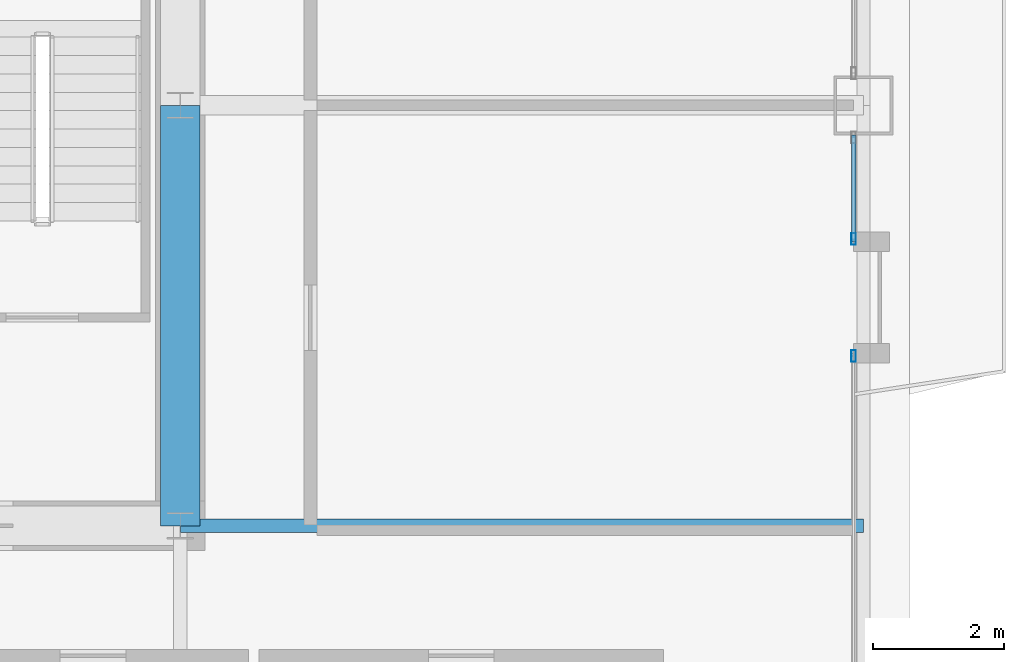
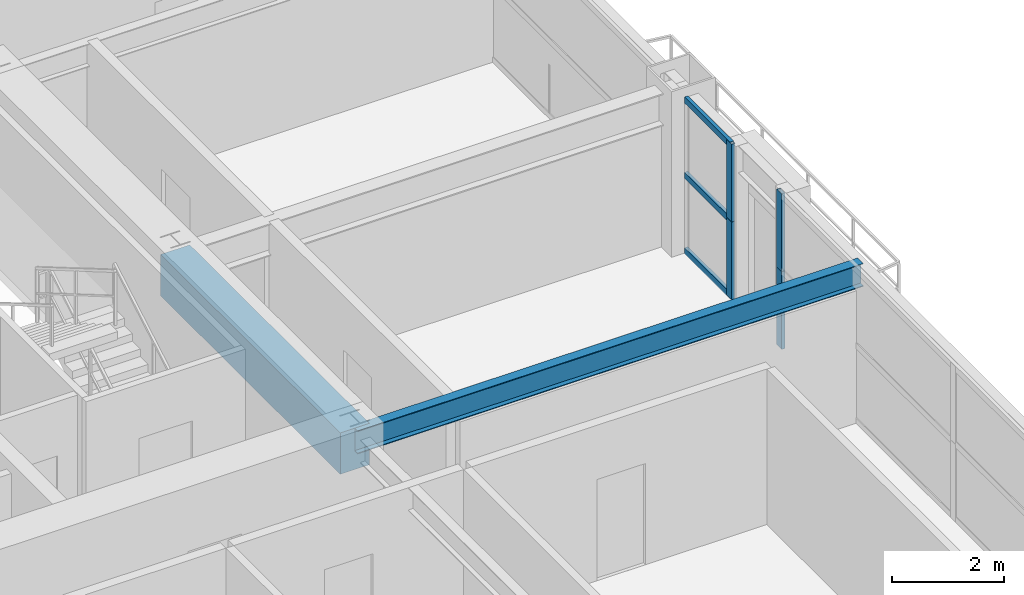
# One storey, part 21 of 43: 7 members, 2 beams, 2 elements without a shape of their own.
"""IFC4 building model written with IfcOpenShell, lengths in metres."""

import ifcopenshell
import ifcopenshell.guid

model = None  # the IFC model being written
_history = None  # IfcOwnerHistory: only IFC2X3 demands one
_inside = {}  # id of a spatial element -> (the spatial element, [elements in it])
_under = {}  # id of a project, library or spatial element -> (it, [spatial elements below it])
_declared = {}  # id of a project -> (the project, [libraries it declares])
_typed = {}  # id of a type object -> (the type object, [elements of that type])
_made_of = {}  # id of a material, layer set ... -> (it, [elements and type objects made of it])


def new_model(schema):
    """Start an empty IFC model of exactly this schema.

    Asked for "IFC4X3", IfcOpenShell would pick the latest addendum, in which some entities
    have other attributes; the version numbers below select the first issue.
    IFC2X3 requires an IfcOwnerHistory on every rooted entity: one is made here for all.
    """
    global model, _history
    if schema == "IFC4X3":
        model = ifcopenshell.file(schema_version=(4, 3, 0, 0))
    else:
        model = ifcopenshell.file(schema=schema)
    _inside.clear()
    _under.clear()
    _declared.clear()
    _typed.clear()
    _made_of.clear()
    _history = None
    if model.schema == "IFC2X3":
        org = make("IfcOrganization", Name="unknown")
        user = make(
            "IfcPersonAndOrganization",
            ThePerson=make("IfcPerson", FamilyName="unknown"),
            TheOrganization=org,
        )
        app = make(
            "IfcApplication",
            ApplicationDeveloper=org,
            Version="unknown",
            ApplicationFullName="unknown",
            ApplicationIdentifier="unknown",
        )
        _history = make(
            "IfcOwnerHistory",
            OwningUser=user,
            OwningApplication=app,
            ChangeAction="ADDED",
            CreationDate=0,
        )
    return model


def make(cls, **values):
    """One entity of the class cls with the attributes given. An attribute that is None is left unset."""
    return model.create_entity(
        cls, **{name: value for name, value in values.items() if value is not None}
    )


def rooted(cls, **values):
    """An entity with a GlobalId (a new one), such as an element, a storey or a relation."""
    return make(cls, GlobalId=ifcopenshell.guid.new(), OwnerHistory=_history, **values)


def si_unit(unit_type, name, prefix=None):
    """IfcSIUnit, for example si_unit("LENGTHUNIT", "METRE", prefix="MILLI")."""
    return make("IfcSIUnit", UnitType=unit_type, Prefix=prefix, Name=name)


def assignment(units):
    """IfcUnitAssignment: the units of a project."""
    return None if units is None else make("IfcUnitAssignment", Units=units)


def point(xyz):
    """IfcCartesianPoint."""
    return None if xyz is None else make("IfcCartesianPoint", Coordinates=xyz)


def direction(xyz):
    """IfcDirection."""
    return None if xyz is None else make("IfcDirection", DirectionRatios=xyz)


def frame(location, z_axis=None, x_axis=None):
    """IfcAxis2Placement3D, a coordinate frame: its origin and axes. An axis left out is left unset."""
    return make(
        "IfcAxis2Placement3D",
        Location=point(location),
        Axis=direction(z_axis),
        RefDirection=direction(x_axis),
    )


def frame_2d(location, x_axis=None):
    """IfcAxis2Placement2D, a coordinate frame in the plane: its origin and x axis."""
    return make(
        "IfcAxis2Placement2D", Location=point(location), RefDirection=direction(x_axis)
    )


def origin():
    """The frame at (0, 0, 0) with its axes left unset."""
    return frame((0.0, 0.0, 0.0))


def origin_2d():
    """The frame at (0, 0) in the plane with its x axis left unset."""
    return frame_2d((0.0, 0.0))


def place(relative_to, where):
    """IfcLocalPlacement: puts the frame where relative to a parent placement (None: the world)."""
    return make(
        "IfcLocalPlacement", PlacementRelTo=relative_to, RelativePlacement=where
    )


def context(
    kind, dimensions, precision=None, world=None, true_north=None, identifier=None
):
    """IfcGeometricRepresentationContext, for example the 3D "Model" context."""
    return make(
        "IfcGeometricRepresentationContext",
        ContextIdentifier=identifier,
        ContextType=kind,
        CoordinateSpaceDimension=dimensions,
        Precision=precision,
        WorldCoordinateSystem=world,
        TrueNorth=true_north,
    )


def subcontext(parent, identifier, kind, view, scale=None):
    """IfcGeometricRepresentationSubContext, for example "Body" below "Model"."""
    return make(
        "IfcGeometricRepresentationSubContext",
        ContextIdentifier=identifier,
        ContextType=kind,
        ParentContext=parent,
        TargetScale=scale,
        TargetView=view,
    )


def project(units=None, contexts=None):
    """IfcProject with its units and contexts."""
    return rooted(
        "IfcProject",
        Name="project",
        RepresentationContexts=contexts,
        UnitsInContext=assignment(units),
    )


def spatial(cls, under=None, at=None, **own):
    """A site, building, storey or space (cls), placed at a placement, below another one or the project."""
    s = rooted(cls, ObjectPlacement=at, **own)
    if under is not None:
        _under.setdefault(under.id(), (under, []))[1].append(s)
    return s


def profile(cls, at=None, kind="AREA", **sizes):
    """A parametric profile (cls). Its sizes go by their IFC names, for example OverallWidth=200.0."""
    return make(cls, ProfileType=kind, Position=at, **sizes)


def rectangle(**sizes):
    """IfcRectangleProfileDef."""
    return profile("IfcRectangleProfileDef", **sizes)


def hollow_rectangle(**sizes):
    """IfcRectangleHollowProfileDef."""
    return profile("IfcRectangleHollowProfileDef", **sizes)


def i_section(**sizes):
    """IfcIShapeProfileDef."""
    return profile("IfcIShapeProfileDef", **sizes)


def extrude(swept, where, along, depth):
    """IfcExtrudedAreaSolid: the profile swept, set in the frame where, extruded along a direction by depth."""
    return make(
        "IfcExtrudedAreaSolid",
        SweptArea=swept,
        Position=where,
        ExtrudedDirection=direction(along),
        Depth=depth,
    )


def shape(context_of_items, identifier, shape_type, items):
    """IfcShapeRepresentation: the items that make up one representation, for example the "Body"."""
    return make(
        "IfcShapeRepresentation",
        ContextOfItems=context_of_items,
        RepresentationIdentifier=identifier,
        RepresentationType=shape_type,
        Items=items,
    )


def source(mapping_origin, context_of_items, identifier, shape_type, items):
    """IfcRepresentationMap: a shape defined once, which mapped items show again and again."""
    return make(
        "IfcRepresentationMap",
        MappingOrigin=mapping_origin,
        MappedRepresentation=shape(context_of_items, identifier, shape_type, items),
    )


def transform(
    local_origin,
    x_axis=None,
    y_axis=None,
    z_axis=None,
    scale=None,
    scale2=None,
    scale3=None,
    uniform=True,
):
    """IfcCartesianTransformationOperator3D, or its non-uniform kind. x_axis, y_axis, z_axis: its Axis1, 2, 3."""
    if uniform:
        return make(
            "IfcCartesianTransformationOperator3D",
            Axis1=direction(x_axis),
            Axis2=direction(y_axis),
            LocalOrigin=point(local_origin),
            Scale=scale,
            Axis3=direction(z_axis),
        )
    return make(
        "IfcCartesianTransformationOperator3DnonUniform",
        Axis1=direction(x_axis),
        Axis2=direction(y_axis),
        LocalOrigin=point(local_origin),
        Scale=scale,
        Axis3=direction(z_axis),
        Scale2=scale2,
        Scale3=scale3,
    )


def mapped(mapping_source, mapping_target):
    """IfcMappedItem: shows the shape of a source again, moved by a transform."""
    return make(
        "IfcMappedItem", MappingSource=mapping_source, MappingTarget=mapping_target
    )


def material(Name=None, Category=None):
    """IfcMaterial."""
    return make("IfcMaterial", Name=Name, Category=Category)


def layer(
    of_material, thickness, ventilated=None, Name=None, Category=None, Priority=None
):
    """IfcMaterialLayer: one layer of a wall or slab, of a material (None: an air gap)."""
    return make(
        "IfcMaterialLayer",
        Material=of_material,
        LayerThickness=thickness,
        IsVentilated=ventilated,
        Name=Name,
        Category=Category,
        Priority=Priority,
    )


def layer_set(layers, Name=None):
    """IfcMaterialLayerSet."""
    return make("IfcMaterialLayerSet", MaterialLayers=layers, LayerSetName=Name)


def material_profile(
    of_material, cross_section, Name=None, Category=None, Priority=None
):
    """IfcMaterialProfile: a cross section and its material."""
    return make(
        "IfcMaterialProfile",
        Name=Name,
        Material=of_material,
        Profile=cross_section,
        Priority=Priority,
        Category=Category,
    )


def profile_set(profiles, Name=None, composite=None):
    """IfcMaterialProfileSet."""
    return make(
        "IfcMaterialProfileSet",
        Name=Name,
        MaterialProfiles=profiles,
        CompositeProfile=composite,
    )


def made_of(thing, what):
    """Note that an element or type object is made of a material, layer set ...; save() writes the relation."""
    if what is not None:
        _made_of.setdefault(what.id(), (what, []))[1].append(thing)
    return thing


def type_object(cls, material=None, **own):
    """A type object (cls), such as IfcWallType, which elements share."""
    return made_of(rooted(cls, **own), material)


def element(
    cls,
    number,
    at=None,
    inside=None,
    cuts=None,
    type_object=None,
    material=None,
    context=None,
    identifier="Body",
    shape_type=None,
    held_by="IfcProductDefinitionShape",
    body=None,
    shapes=None,
    **own,
):
    """One element of the class cls, such as IfcWall. Its Tag is "e" and its number.

    at: its placement. inside: the storey or other place that contains it. cuts: it is an
    opening in that element (IfcRelVoidsElement). A single representation is given by context,
    identifier, shape_type and body (its items); several are given by shapes. held_by: the class
    of the entity that holds the representations. save() writes the other relations.
    """
    e = rooted(cls, Tag="e%d" % number, ObjectPlacement=at, **own)
    if body is not None:
        shapes = [shape(context, identifier, shape_type, body)]
    if shapes is not None:
        e.Representation = make(held_by, Representations=shapes)
    if inside is not None:
        _inside.setdefault(inside.id(), (inside, []))[1].append(e)
    if cuts is not None:
        rooted(
            "IfcRelVoidsElement", RelatingBuildingElement=cuts, RelatedOpeningElement=e
        )
    if type_object is not None:
        _typed.setdefault(type_object.id(), (type_object, []))[1].append(e)
    return made_of(e, material)


def aggregate(whole, parts):
    """IfcRelAggregates: a whole, such as a stair, and the parts it consists of."""
    return rooted("IfcRelAggregates", RelatingObject=whole, RelatedObjects=parts)


def save(model, path):
    """Write the relations noted so far, then the file.

    IfcRelAggregates (storeys below a building ...), IfcRelContainedInSpatialStructure (elements
    in a storey), IfcRelDefinesByType, IfcRelAssociatesMaterial and IfcRelDeclares: one each for
    every whole, place, type object, material and project.
    """
    for whole, parts in _under.values():
        aggregate(whole, parts)
    for where, things in _inside.values():
        rooted(
            "IfcRelContainedInSpatialStructure",
            RelatedElements=things,
            RelatingStructure=where,
        )
    for kind, things in _typed.values():
        rooted("IfcRelDefinesByType", RelatedObjects=things, RelatingType=kind)
    for what, things in _made_of.values():
        rooted("IfcRelAssociatesMaterial", RelatedObjects=things, RelatingMaterial=what)
    for by, libraries in _declared.values():
        rooted("IfcRelDeclares", RelatingContext=by, RelatedDefinitions=libraries)
    model.write(path)


model = new_model("IFC4")

# Units and contexts
model_context = context("Model", 3, precision=1e-05, world=origin(), true_north=direction((0.0, 1.0)))
body_context = subcontext(model_context, "Body", "Model", "MODEL_VIEW")
ifc_project = project(units=[si_unit("LENGTHUNIT", "METRE"), si_unit("AREAUNIT", "SQUARE_METRE"), si_unit("VOLUMEUNIT", "CUBIC_METRE"), si_unit("PLANEANGLEUNIT", "RADIAN"), si_unit("MASSUNIT", "GRAM", prefix="KILO"), si_unit("THERMODYNAMICTEMPERATUREUNIT", "KELVIN"), si_unit("POWERUNIT", "WATT")], contexts=[model_context])

# Site, building, storey
site_placement = place(None, origin())
site = spatial("IfcSite", under=ifc_project, at=site_placement, CompositionType="ELEMENT")
building_placement = place(site_placement, origin())
building = spatial("IfcBuilding", under=site, at=building_placement, Name="Yuzanri Waterfront Tower", CompositionType="ELEMENT")
storey_placement = place(building_placement, frame((0.0, 0.0, 159.60009765625)))
storey = spatial("IfcBuildingStorey", under=building, at=storey_placement, Name="L42", CompositionType="ELEMENT", Elevation=159.60009765625)

# Beams
ifc_material_1 = material(Name="Concrete C60", Category="concrete")
ifc_material_profile_1 = material_profile(ifc_material_1, rectangle(XDim=0.60009765625, YDim=0.89990234375, at=origin_2d()), Name="RC 600x900")
ifc_profile_set_1 = profile_set([ifc_material_profile_1], Name="Concrete C60")
beam_type_1 = type_object("IfcBeamType", Name="Core Coupling Lintel Concrete C60 600x900", PredefinedType="LINTEL", material=ifc_profile_set_1)
shared_shape_1 = source(origin(), body_context, "Body", "SweptSolid", [
    extrude(rectangle(XDim=0.60009765625, YDim=0.89990234375, at=origin_2d()), origin(), (0.0, 0.0, 1.0), 6.400146484375),
])
beam_1_placement = place(storey_placement, frame((50.199951171875, 19.39990234375, 2.929931640625), z_axis=(0.0, 1.0, 0.0), x_axis=(-1.0, 0.0, 0.0)))
element("IfcBeam", 1, at=beam_1_placement, inside=storey, type_object=beam_type_1, Name="L42 Core Tie Beam CE1", PredefinedType="LINTEL", context=body_context, shape_type="MappedRepresentation", body=[
    mapped(shared_shape_1, transform((0.0, 0.0, 0.0), scale=1.0)),
])
ifc_material_2 = material(Name="Steel Q355B", Category="steel")
ifc_material_profile_2 = material_profile(ifc_material_2, i_section(OverallWidth=0.199951171875, OverallDepth=0.5, WebThickness=0.010009765625, FlangeThickness=0.01611328125, at=origin_2d()), Name="HN 500x200x10x16")
ifc_profile_set_2 = profile_set([ifc_material_profile_2], Name="Steel Q355B")
beam_type_2 = type_object("IfcBeamType", Name="Secondary Floor Beam Q355B HN 500x200", PredefinedType="BEAM", material=ifc_profile_set_2)
shared_shape_2 = source(origin(), body_context, "Body", "SweptSolid", [
    extrude(i_section(OverallWidth=0.199951171875, OverallDepth=0.5, WebThickness=0.010009765625, FlangeThickness=0.01611328125, at=origin_2d()), origin(), (0.0, 0.0, 1.0), 10.400146484375),
])
beam_2_placement = place(storey_placement, frame((50.199951171875, 19.39990234375, 3.1298828125), z_axis=(1.0, 0.0, 0.0), x_axis=(0.0, 1.0, 0.0)))
element("IfcBeam", 2, at=beam_2_placement, inside=storey, type_object=beam_type_2, Name="L42 East-South Core Line Beam", PredefinedType="BEAM", context=body_context, shape_type="MappedRepresentation", body=[
    mapped(shared_shape_2, transform((0.0, 0.0, 0.0), scale=1.0)),
])

# Curtain wall, members
ifc_material_3 = material(Name="Anodized Architectural Bronze", Category="metal")
ifc_layer = layer(ifc_material_3, 0.159912109375)
ifc_layer_set = layer_set([ifc_layer], Name="Anodized Architectural Bronze")
curtain_wall_type = type_object("IfcCurtainWallType", Name="Anodized Bronze Hotel Upper-Tier Solar-Control Unitized Curtain Wall 7800", PredefinedType="NOTDEFINED", material=ifc_layer_set)
curtain_wall_1_placement = place(storey_placement, origin())
curtain_wall_1 = element("IfcCurtainWall", 3, at=curtain_wall_1_placement, inside=storey, type_object=curtain_wall_type, Name="L42 Curtain Wall CW-L42-EL1", PredefinedType="NOTDEFINED")
ifc_material_4 = material(Name="Anodized Architectural Bronze", Category="metal")
ifc_material_profile_3 = material_profile(ifc_material_4, hollow_rectangle(XDim=0.070068359375, YDim=0.179931640625, WallThickness=0.00390625, at=origin_2d()), Name="CWM 70x180")
ifc_profile_set_3 = profile_set([ifc_material_profile_3], Name="Anodized Architectural Bronze")
member_type_1 = type_object("IfcMemberType", Name="Anodized Bronze Standard Curtain-Wall Mullion 70x180", PredefinedType="MULLION", material=ifc_profile_set_3)
shared_shape_3 = source(origin(), body_context, "Body", "SweptSolid", [
    extrude(hollow_rectangle(XDim=0.070068359375, YDim=0.179931640625, WallThickness=0.00390625, at=origin_2d()), origin(), (0.0, 0.0, 1.0), 1.68798828125),
])
member_1_placement = place(storey_placement, frame((60.449951171875, 21.985107421875, 0.0), z_axis=(0.0, 0.0, 1.0), x_axis=(1.0, 0.0, 0.0)))
member_1 = element("IfcMember", 4, at=member_1_placement, type_object=member_type_1, Name="CW-L42-EL1 Lower Mullion 02", PredefinedType="MULLION", context=body_context, shape_type="MappedRepresentation", body=[
    mapped(shared_shape_3, transform((0.0, 0.0, 0.0), scale=1.0)),
])
member_2_placement = place(storey_placement, frame((60.449951171875, 21.985107421875, 1.69189453125), z_axis=(0.0, 0.0, 1.0), x_axis=(1.0, 0.0, 0.0)))
member_2 = element("IfcMember", 5, at=member_2_placement, type_object=member_type_1, Name="CW-L42-EL1 Upper Mullion 02", PredefinedType="MULLION", context=body_context, shape_type="MappedRepresentation", body=[
    mapped(shared_shape_3, transform((0.0, 0.0, 0.0), scale=1.0)),
])
aggregate(curtain_wall_1, [member_1, member_2])

curtain_wall_2_placement = place(storey_placement, origin())
curtain_wall_2 = element("IfcCurtainWall", 6, at=curtain_wall_2_placement, inside=storey, type_object=curtain_wall_type, Name="L42 Curtain Wall CW-L42-EL2", PredefinedType="NOTDEFINED")
member_3_placement = place(storey_placement, frame((60.449951171875, 23.764892578125, 0.0), z_axis=(0.0, 0.0, 1.0), x_axis=(1.0, 0.0, 0.0)))
member_3 = element("IfcMember", 7, at=member_3_placement, type_object=member_type_1, Name="CW-L42-EL2 Lower Mullion 00", PredefinedType="MULLION", context=body_context, shape_type="MappedRepresentation", body=[
    mapped(shared_shape_3, transform((0.0, 0.0, 0.0), scale=1.0)),
])
member_4_placement = place(storey_placement, frame((60.449951171875, 23.764892578125, 1.69189453125), z_axis=(0.0, 0.0, 1.0), x_axis=(1.0, 0.0, 0.0)))
member_4 = element("IfcMember", 8, at=member_4_placement, type_object=member_type_1, Name="CW-L42-EL2 Upper Mullion 00", PredefinedType="MULLION", context=body_context, shape_type="MappedRepresentation", body=[
    mapped(shared_shape_3, transform((0.0, 0.0, 0.0), scale=1.0)),
])
ifc_material_5 = material(Name="Anodized Architectural Bronze", Category="metal")
ifc_material_profile_4 = material_profile(ifc_material_5, hollow_rectangle(XDim=0.070068359375, YDim=0.135009765625, WallThickness=0.00341796875, at=origin_2d()), Name="CWT 70x135")
ifc_profile_set_4 = profile_set([ifc_material_profile_4], Name="Anodized Architectural Bronze")
member_type_2 = type_object("IfcMemberType", Name="Anodized Bronze Standard Curtain-Wall Transom 70x135", PredefinedType="USERDEFINED", material=ifc_profile_set_4)
shared_shape_4 = source(origin(), body_context, "Body", "SweptSolid", [
    extrude(hollow_rectangle(XDim=0.070068359375, YDim=0.135009765625, WallThickness=0.00341796875, at=origin_2d()), origin(), (0.0, 0.0, 1.0), 1.625),
])
member_5_placement = place(storey_placement, frame((60.449951171875, 23.72509765625, 0.0498046875), z_axis=(0.0, 1.0, 0.0), x_axis=(-1.0, 0.0, 0.0)))
member_5 = element("IfcMember", 9, at=member_5_placement, type_object=member_type_2, Name="CW-L42-EL2 Transom 1", ObjectType="TRANSOM", PredefinedType="USERDEFINED", context=body_context, shape_type="MappedRepresentation", body=[
    mapped(shared_shape_4, transform((0.0, 0.0, 0.0), scale=1.0)),
])
member_6_placement = place(storey_placement, frame((60.449951171875, 23.72509765625, 1.68994140625), z_axis=(0.0, 1.0, 0.0), x_axis=(-1.0, 0.0, 0.0)))
member_6 = element("IfcMember", 10, at=member_6_placement, type_object=member_type_2, Name="CW-L42-EL2 Transom 2", ObjectType="TRANSOM", PredefinedType="USERDEFINED", context=body_context, shape_type="MappedRepresentation", body=[
    mapped(shared_shape_4, transform((0.0, 0.0, 0.0), scale=1.0)),
])
member_7_placement = place(storey_placement, frame((60.449951171875, 23.72509765625, 3.329833984375), z_axis=(0.0, 1.0, 0.0), x_axis=(-1.0, 0.0, 0.0)))
member_7 = element("IfcMember", 11, at=member_7_placement, type_object=member_type_2, Name="CW-L42-EL2 Transom 3", ObjectType="TRANSOM", PredefinedType="USERDEFINED", context=body_context, shape_type="MappedRepresentation", body=[
    mapped(shared_shape_4, transform((0.0, 0.0, 0.0), scale=1.0)),
])
aggregate(curtain_wall_2, [member_3, member_4, member_5, member_6, member_7])

save(model, "model.ifc")
